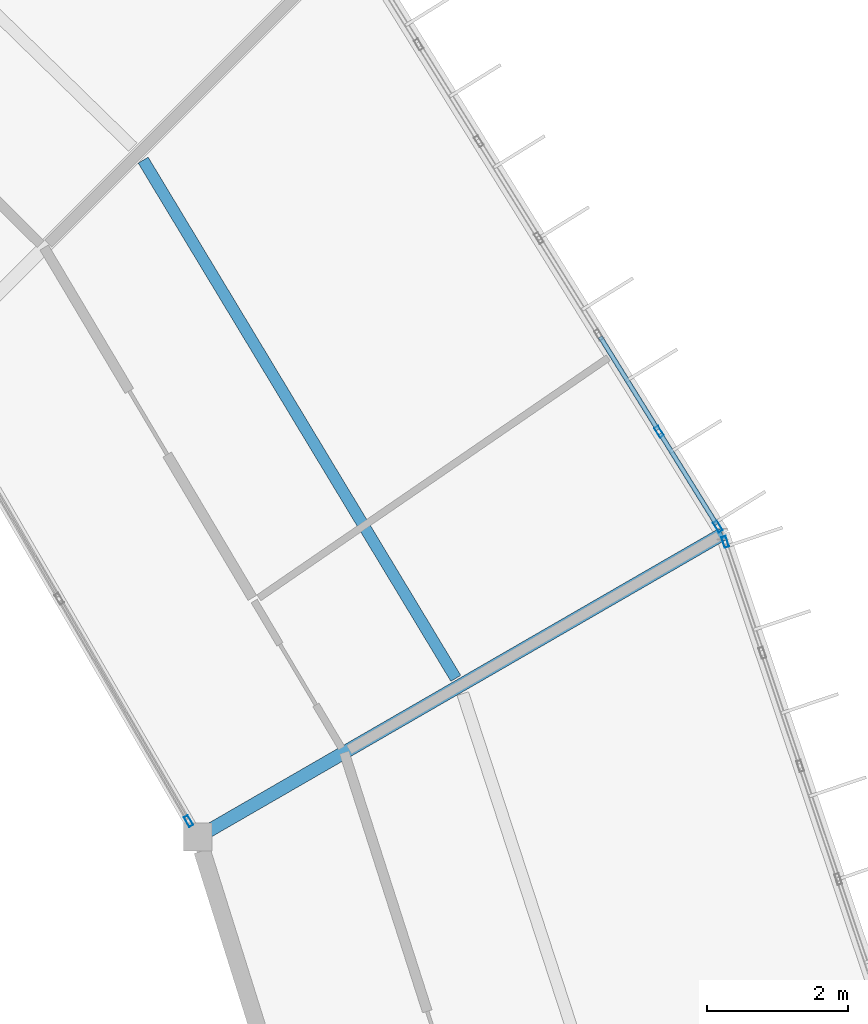
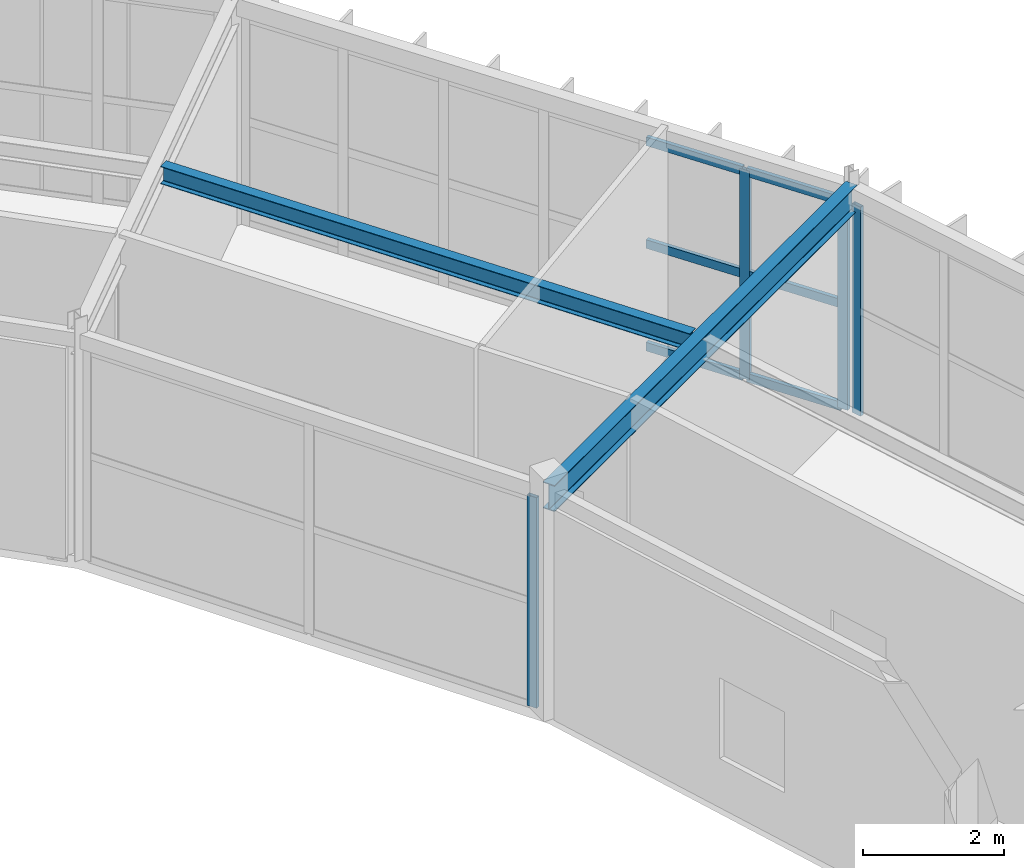
# One storey, part 69 of 106: 10 members, 2 beams, 3 elements without a shape of their own.
"""IFC4 building model written with IfcOpenShell, lengths in metres."""

from ifc_helpers import new_model, si_unit, direction, frame, origin, origin_2d, place, context, subcontext, project, spatial, hollow_rectangle, i_section, extrude, material, material_profile, profile_set, type_object, element, aggregate, save


model = new_model("IFC4")

# Units and contexts
model_context = context("Model", 3, precision=1e-05, world=origin(), true_north=direction((0.0, 1.0)))
body_context = subcontext(model_context, "Body", "Model", "MODEL_VIEW")
ifc_project = project(units=[si_unit("LENGTHUNIT", "METRE"), si_unit("AREAUNIT", "SQUARE_METRE"), si_unit("VOLUMEUNIT", "CUBIC_METRE"), si_unit("PLANEANGLEUNIT", "RADIAN"), si_unit("MASSUNIT", "GRAM", prefix="KILO")], contexts=[model_context])

# Site, building, storey
site_placement = place(None, origin())
site = spatial("IfcSite", under=ifc_project, at=site_placement, CompositionType="ELEMENT")
building_placement = place(site_placement, origin())
building = spatial("IfcBuilding", under=site, at=building_placement, Name="Karori Crest Natural Sciences Institute", CompositionType="ELEMENT")
storey_placement = place(building_placement, frame((0.0, 0.0, 25.89990234375)))
storey = spatial("IfcBuildingStorey", under=building, at=storey_placement, Name="L06", CompositionType="ELEMENT", Elevation=25.89990234375)

# Beams
ifc_material_1 = material(Name="Structural steel AS/NZS 3679.1 Grade 350", Category="steel")
ifc_material_profile_1 = material_profile(ifc_material_1, i_section(OverallWidth=0.1650390625, OverallDepth=0.303955078125, WebThickness=0.006103515625, FlangeThickness=0.01025390625, FilletRadius=0.010986328125, at=origin_2d()), Name="310UB40.4")
ifc_profile_set_1 = profile_set([ifc_material_profile_1], Name="Structural steel AS/NZS 3679.1 Grade 350")
beam_type_1 = type_object("IfcBeamType", Name="BT-10", PredefinedType="BEAM", material=ifc_profile_set_1)
beam_1_placement = place(storey_placement, frame((91.19287109375, 68.252685546875, 3.7880859375), z_axis=(-0.516601017309, 0.856226248672, 0.0), x_axis=(-0.856226248672, -0.516601017309, 0.0)))
element("IfcBeam", 1, at=beam_1_placement, inside=storey, type_object=beam_type_1, Name="Beam B-0628", PredefinedType="BEAM", context=body_context, shape_type="SweptSolid", body=[
    extrude(i_section(OverallWidth=0.1650390625, OverallDepth=0.303955078125, WebThickness=0.006103515625, FlangeThickness=0.01025390625, FilletRadius=0.010986328125, at=origin_2d()), origin(), (0.0, 0.0, 1.0), 8.5888671875),
])
ifc_material_profile_2 = material_profile(ifc_material_1, i_section(OverallWidth=0.18994140625, OverallDepth=0.4541015625, WebThickness=0.008544921875, FlangeThickness=0.0126953125, FilletRadius=0.010986328125, at=origin_2d()), Name="460UB67.1")
ifc_profile_set_2 = profile_set([ifc_material_profile_2], Name="Structural steel AS/NZS 3679.1 Grade 350")
beam_type_2 = type_object("IfcBeamType", Name="BT-28", PredefinedType="BEAM", material=ifc_profile_set_2)
beam_2_placement = place(storey_placement, frame((87.531005859375, 66.0, 3.713134765625), z_axis=(0.866021068297, 0.500007509209, 0.0), x_axis=(-0.500007509209, 0.866021068297, 0.0)))
element("IfcBeam", 2, at=beam_2_placement, inside=storey, type_object=beam_type_2, Name="Beam B-0627", PredefinedType="BEAM", context=body_context, shape_type="SweptSolid", body=[
    extrude(i_section(OverallWidth=0.18994140625, OverallDepth=0.4541015625, WebThickness=0.008544921875, FlangeThickness=0.0126953125, FilletRadius=0.010986328125, at=origin_2d()), origin(), (0.0, 0.0, 1.0), 8.599853515625),
])

# Curtain wall, member
ifc_material_2 = material(Name="Anodised architectural aluminium 6063-T6", Category="aluminium")
curtain_wall_type_1 = type_object("IfcCurtainWallType", Name="CWT-02", PredefinedType="NOTDEFINED", material=ifc_material_2)
curtain_wall_1_placement = place(storey_placement, origin())
curtain_wall_1 = element("IfcCurtainWall", 3, at=curtain_wall_1_placement, inside=storey, type_object=curtain_wall_type_1, Name="Curtain wall CW-0222", PredefinedType="NOTDEFINED")
ifc_material_profile_3 = material_profile(ifc_material_2, hollow_rectangle(XDim=0.06494140625, YDim=0.159912109375, WallThickness=0.00390625, at=origin_2d()), Name="CWM160x65x4")
ifc_profile_set_3 = profile_set([ifc_material_profile_3], Name="Anodised architectural aluminium 6063-T6")
member_type_1 = type_object("IfcMemberType", Name="CWM-01", PredefinedType="MULLION", material=ifc_profile_set_3)
member_1_placement = place(storey_placement, frame((95.015625, 70.190185546875, 0.0), z_axis=(0.0, 0.0, 1.0), x_axis=(0.94819805026, 0.317679803392, 0.0)))
member_1 = element("IfcMember", 4, at=member_1_placement, type_object=member_type_1, Name="CW-0222 mullion 1", PredefinedType="MULLION", context=body_context, shape_type="SweptSolid", body=[
    extrude(hollow_rectangle(XDim=0.06494140625, YDim=0.159912109375, WallThickness=0.00390625, at=origin_2d()), origin(), (0.0, 0.0, 1.0), 3.625),
])
aggregate(curtain_wall_1, [member_1])

# Curtain wall, members
curtain_wall_type_2 = type_object("IfcCurtainWallType", Name="CWT-03", PredefinedType="NOTDEFINED", material=ifc_material_2)
curtain_wall_2_placement = place(storey_placement, origin())
curtain_wall_2 = element("IfcCurtainWall", 5, at=curtain_wall_2_placement, inside=storey, type_object=curtain_wall_type_2, Name="Curtain wall CW-0223", PredefinedType="NOTDEFINED")
member_2_placement = place(storey_placement, frame((94.076904296875, 71.7529296875, 0.0), z_axis=(0.0, 0.0, 1.0), x_axis=(0.849661985715, 0.527327706489, 0.0)))
member_2 = element("IfcMember", 6, at=member_2_placement, type_object=member_type_1, Name="CW-0223 mullion 6", PredefinedType="MULLION", context=body_context, shape_type="SweptSolid", body=[
    extrude(hollow_rectangle(XDim=0.06494140625, YDim=0.159912109375, WallThickness=0.00390625, at=origin_2d()), origin(), (0.0, 0.0, 1.0), 3.625),
])
member_3_placement = place(storey_placement, frame((94.912353515625, 70.406982421875, 0.0), z_axis=(0.0, 0.0, 1.0), x_axis=(0.849661985715, 0.527327706489, 0.0)))
member_3 = element("IfcMember", 7, at=member_3_placement, type_object=member_type_1, Name="CW-0223 mullion 7", PredefinedType="MULLION", context=body_context, shape_type="SweptSolid", body=[
    extrude(hollow_rectangle(XDim=0.06494140625, YDim=0.159912109375, WallThickness=0.00390625, at=origin_2d()), origin(), (0.0, 0.0, 1.0), 3.625),
])

# Curtain wall, member
curtain_wall_type_3 = type_object("IfcCurtainWallType", Name="CWT-13", PredefinedType="NOTDEFINED", material=ifc_material_2)
curtain_wall_3_placement = place(storey_placement, origin())
curtain_wall_3 = element("IfcCurtainWall", 8, at=curtain_wall_3_placement, inside=storey, type_object=curtain_wall_type_3, Name="Curtain wall CW-0224", PredefinedType="NOTDEFINED")
member_4_placement = place(storey_placement, frame((87.3994140625, 66.226318359375, 0.0), z_axis=(0.0, 0.0, 1.0), x_axis=(-0.864487154971, -0.502654910341, 0.0)))
member_4 = element("IfcMember", 9, at=member_4_placement, type_object=member_type_1, Name="CW-0224 mullion 1", PredefinedType="MULLION", context=body_context, shape_type="SweptSolid", body=[
    extrude(hollow_rectangle(XDim=0.06494140625, YDim=0.159912109375, WallThickness=0.00390625, at=origin_2d()), origin(), (0.0, 0.0, 1.0), 3.650146484375),
])
aggregate(curtain_wall_3, [member_4])

# Member
ifc_material_profile_4 = material_profile(ifc_material_2, hollow_rectangle(XDim=0.06494140625, YDim=0.14990234375, WallThickness=0.00390625, at=origin_2d()), Name="CWT150x65x4")
ifc_profile_set_4 = profile_set([ifc_material_profile_4], Name="Anodised architectural aluminium 6063-T6")
member_type_2 = type_object("IfcMemberType", Name="CWT-TR2", PredefinedType="USERDEFINED", material=ifc_profile_set_4)
member_5_placement = place(storey_placement, frame((93.241455078125, 73.09912109375, 0.03271484375), z_axis=(0.5273941938, -0.849620717936, 0.0), x_axis=(0.849620717936, 0.5273941938, 0.0)))
member_5 = element("IfcMember", 10, at=member_5_placement, type_object=member_type_2, Name="CW-0223 transom 5.1", ObjectType="TRANSOM", PredefinedType="USERDEFINED", context=body_context, shape_type="SweptSolid", body=[
    extrude(hollow_rectangle(XDim=0.06494140625, YDim=0.14990234375, WallThickness=0.00390625, at=origin_2d()), origin(), (0.0, 0.0, 1.0), 1.5517578125),
])

member_6_placement = place(storey_placement, frame((93.241455078125, 73.09912109375, 1.8125), z_axis=(0.5273941938, -0.849620717936, 0.0), x_axis=(0.849620717936, 0.5273941938, 0.0)))
member_6 = element("IfcMember", 11, at=member_6_placement, type_object=member_type_2, Name="CW-0223 transom 5.2", ObjectType="TRANSOM", PredefinedType="USERDEFINED", context=body_context, shape_type="SweptSolid", body=[
    extrude(hollow_rectangle(XDim=0.06494140625, YDim=0.14990234375, WallThickness=0.00390625, at=origin_2d()), origin(), (0.0, 0.0, 1.0), 1.5517578125),
])

member_7_placement = place(storey_placement, frame((93.241455078125, 73.09912109375, 3.592529296875), z_axis=(0.5273941938, -0.849620717936, 0.0), x_axis=(0.849620717936, 0.5273941938, 0.0)))
member_7 = element("IfcMember", 12, at=member_7_placement, type_object=member_type_2, Name="CW-0223 transom 5.3", ObjectType="TRANSOM", PredefinedType="USERDEFINED", context=body_context, shape_type="SweptSolid", body=[
    extrude(hollow_rectangle(XDim=0.06494140625, YDim=0.14990234375, WallThickness=0.00390625, at=origin_2d()), origin(), (0.0, 0.0, 1.0), 1.5517578125),
])

member_8_placement = place(storey_placement, frame((94.09423828125, 71.725341796875, 0.03271484375), z_axis=(0.52729485079, -0.849682376144, 0.0), x_axis=(0.849682376144, 0.52729485079, 0.0)))
member_8 = element("IfcMember", 13, at=member_8_placement, type_object=member_type_2, Name="CW-0223 transom 6.1", ObjectType="TRANSOM", PredefinedType="USERDEFINED", context=body_context, shape_type="SweptSolid", body=[
    extrude(hollow_rectangle(XDim=0.06494140625, YDim=0.14990234375, WallThickness=0.00390625, at=origin_2d()), origin(), (0.0, 0.0, 1.0), 1.51904296875),
])

member_9_placement = place(storey_placement, frame((94.09423828125, 71.725341796875, 1.8125), z_axis=(0.52729485079, -0.849682376144, 0.0), x_axis=(0.849682376144, 0.52729485079, 0.0)))
member_9 = element("IfcMember", 14, at=member_9_placement, type_object=member_type_2, Name="CW-0223 transom 6.2", ObjectType="TRANSOM", PredefinedType="USERDEFINED", context=body_context, shape_type="SweptSolid", body=[
    extrude(hollow_rectangle(XDim=0.06494140625, YDim=0.14990234375, WallThickness=0.00390625, at=origin_2d()), origin(), (0.0, 0.0, 1.0), 1.51904296875),
])

member_10_placement = place(storey_placement, frame((94.09423828125, 71.725341796875, 3.592529296875), z_axis=(0.52729485079, -0.849682376144, 0.0), x_axis=(0.849682376144, 0.52729485079, 0.0)))
member_10 = element("IfcMember", 15, at=member_10_placement, type_object=member_type_2, Name="CW-0223 transom 6.3", ObjectType="TRANSOM", PredefinedType="USERDEFINED", context=body_context, shape_type="SweptSolid", body=[
    extrude(hollow_rectangle(XDim=0.06494140625, YDim=0.14990234375, WallThickness=0.00390625, at=origin_2d()), origin(), (0.0, 0.0, 1.0), 1.51904296875),
])

aggregate(curtain_wall_2, [member_2, member_3, member_5, member_6, member_7, member_8, member_9, member_10])

save(model, "model.ifc")
